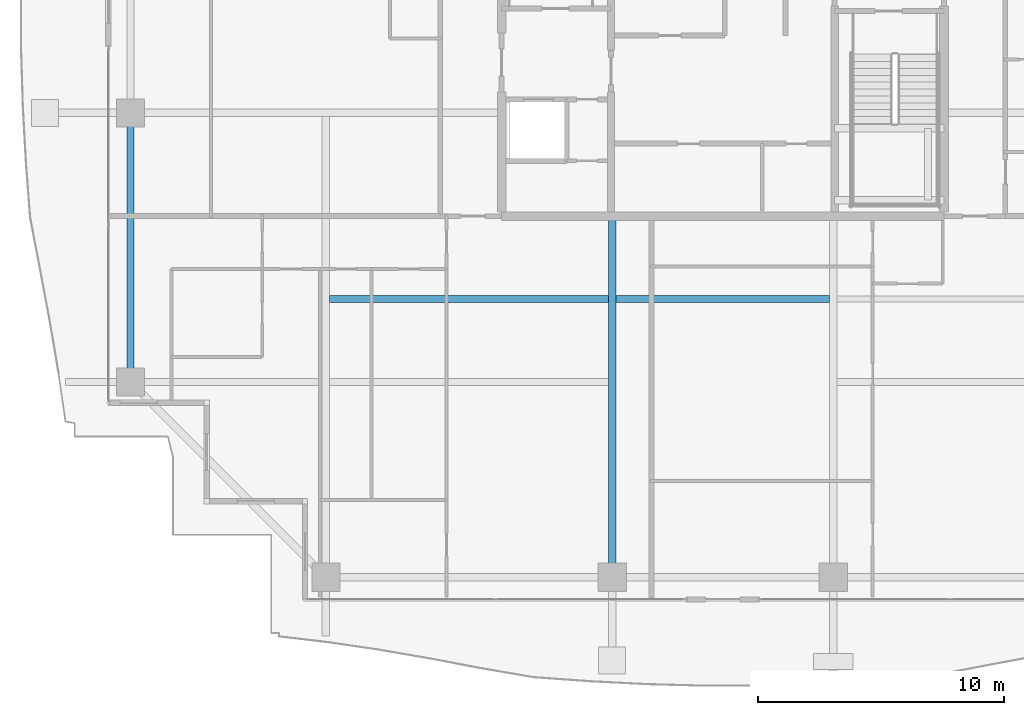
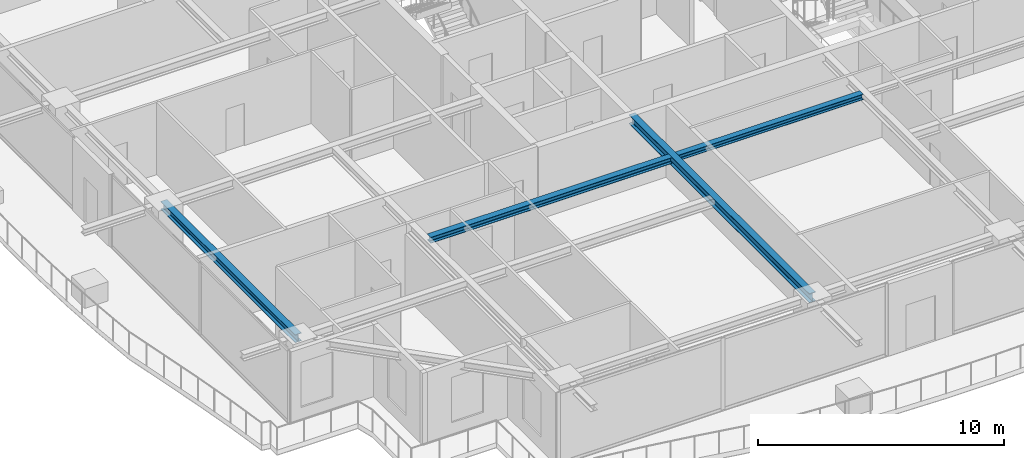
# One storey, part 6 of 35: 4 beams.
"""IFC4 building model written with IfcOpenShell, lengths in metres."""

from ifc_helpers import new_model, si_unit, direction, frame, origin, origin_2d, place, context, subcontext, project, spatial, i_section, extrude, source, transform, mapped, material, material_profile, profile_set, type_object, element, save


model = new_model("IFC4")

# Units and contexts
model_context = context("Model", 3, precision=1e-05, world=origin(), true_north=direction((0.0, 1.0)))
body_context = subcontext(model_context, "Body", "Model", "MODEL_VIEW")
ifc_project = project(units=[si_unit("LENGTHUNIT", "METRE"), si_unit("AREAUNIT", "SQUARE_METRE"), si_unit("VOLUMEUNIT", "CUBIC_METRE"), si_unit("PLANEANGLEUNIT", "RADIAN"), si_unit("MASSUNIT", "GRAM", prefix="KILO")], contexts=[model_context])

# Site, building, storey
site_placement = place(None, origin())
site = spatial("IfcSite", under=ifc_project, at=site_placement, CompositionType="ELEMENT")
building_placement = place(site_placement, origin())
building = spatial("IfcBuilding", under=site, at=building_placement, Name="Serunith Strait Residences", CompositionType="ELEMENT")
storey_placement = place(building_placement, frame((0.0, 0.0, 214.300048828125)))
storey = spatial("IfcBuildingStorey", under=building, at=storey_placement, Name="L53", CompositionType="ELEMENT", Elevation=214.300048828125)

# Beams
ifc_material = material(Name="Steel S355J2", Category="steel")
ifc_material_profile_1 = material_profile(ifc_material, i_section(OverallWidth=0.280029296875, OverallDepth=0.280029296875, WebThickness=0.010498046875, FlangeThickness=0.01806640625, FilletRadius=0.02392578125, at=origin_2d()), Name="HEB 280")
ifc_profile_set_1 = profile_set([ifc_material_profile_1], Name="Steel S355J2")
beam_type_1 = type_object("IfcBeamType", Name="BM-HEB280", PredefinedType="JOIST", material=ifc_profile_set_1)
shared_shape_1 = source(origin(), body_context, "Body", "SweptSolid", [
    extrude(i_section(OverallWidth=0.280029296875, OverallDepth=0.280029296875, WebThickness=0.010498046875, FlangeThickness=0.01806640625, FilletRadius=0.02392578125, at=origin_2d()), origin(), (0.0, 0.0, 1.0), 8.699951171875),
])
beam_1_placement = place(storey_placement, frame((28.050048828125, 13.425048828125, 3.447021484375), z_axis=(1.0, 0.0, 0.0), x_axis=(0.0, 1.0, 0.0)))
element("IfcBeam", 1, at=beam_1_placement, inside=storey, type_object=beam_type_1, Name="L53 Composite Floor Joist 02", PredefinedType="JOIST", context=body_context, shape_type="MappedRepresentation", body=[
    mapped(shared_shape_1, transform((0.0, 0.0, 0.0), scale=1.0)),
])
ifc_material_profile_2 = material_profile(ifc_material, i_section(OverallWidth=0.300048828125, OverallDepth=0.449951171875, WebThickness=0.013916015625, FlangeThickness=0.02587890625, FilletRadius=0.027099609375, at=origin_2d()), Name="HEB 450")
ifc_profile_set_2 = profile_set([ifc_material_profile_2], Name="Steel S355J2")
beam_type_2 = type_object("IfcBeamType", Name="BM-HEB450", PredefinedType="BEAM", material=ifc_profile_set_2)
shared_shape_2 = source(origin(), body_context, "Body", "SweptSolid", [
    extrude(i_section(OverallWidth=0.300048828125, OverallDepth=0.449951171875, WebThickness=0.013916015625, FlangeThickness=0.02587890625, FilletRadius=0.027099609375, at=origin_2d()), origin(), (0.0, 0.0, 1.0), 14.699951171875),
])
beam_2_placement = place(storey_placement, frame((27.89990234375, 16.800048828125, 3.362060546875), z_axis=(0.0, -1.0, 0.0), x_axis=(1.0, 0.0, 0.0)))
element("IfcBeam", 2, at=beam_2_placement, inside=storey, type_object=beam_type_2, Name="L53 Primary Floor Girder TC-S2", PredefinedType="BEAM", context=body_context, shape_type="MappedRepresentation", body=[
    mapped(shared_shape_2, transform((0.0, 0.0, 0.0), scale=1.0)),
])
ifc_material_profile_3 = material_profile(ifc_material, i_section(OverallWidth=0.300048828125, OverallDepth=0.39990234375, WebThickness=0.013427734375, FlangeThickness=0.02392578125, FilletRadius=0.027099609375, at=origin_2d()), Name="HEB 400")
ifc_profile_set_3 = profile_set([ifc_material_profile_3], Name="Steel S355J2")
beam_type_3 = type_object("IfcBeamType", Name="BM-HEB400", PredefinedType="BEAM", material=ifc_profile_set_3)
shared_shape_3 = source(origin(), body_context, "Body", "SweptSolid", [
    extrude(i_section(OverallWidth=0.300048828125, OverallDepth=0.39990234375, WebThickness=0.013427734375, FlangeThickness=0.02392578125, FilletRadius=0.027099609375, at=origin_2d()), origin(), (0.0, 0.0, 1.0), 10.949951171875),
])
beam_3_placement = place(storey_placement, frame((8.300048828125, 21.0, 3.386962890625), z_axis=(0.0, -1.0, 0.0), x_axis=(1.0, 0.0, 0.0)))
element("IfcBeam", 3, at=beam_3_placement, inside=storey, type_object=beam_type_3, Name="L53 Perimeter Ring Beam 15", PredefinedType="BEAM", context=body_context, shape_type="MappedRepresentation", body=[
    mapped(shared_shape_3, transform((0.0, 0.0, 0.0), scale=1.0)),
])
ifc_material_profile_4 = material_profile(ifc_material, i_section(OverallWidth=0.300048828125, OverallDepth=0.300048828125, WebThickness=0.010986328125, FlangeThickness=0.01904296875, FilletRadius=0.027099609375, at=origin_2d()), Name="HEB 300")
ifc_profile_set_4 = profile_set([ifc_material_profile_4], Name="Steel S355J2")
beam_type_4 = type_object("IfcBeamType", Name="BM-HEB300", PredefinedType="JOIST", material=ifc_profile_set_4)
shared_shape_4 = source(origin(), body_context, "Body", "SweptSolid", [
    extrude(i_section(OverallWidth=0.300048828125, OverallDepth=0.300048828125, WebThickness=0.010986328125, FlangeThickness=0.01904296875, FilletRadius=0.027099609375, at=origin_2d()), origin(), (0.0, 0.0, 1.0), 11.35009765625),
])
beam_4_placement = place(storey_placement, frame((16.39990234375, 13.425048828125, 3.43701171875), z_axis=(1.0, 0.0, 0.0), x_axis=(0.0, 1.0, 0.0)))
element("IfcBeam", 4, at=beam_4_placement, inside=storey, type_object=beam_type_4, Name="L53 Composite Floor Joist 01", PredefinedType="JOIST", context=body_context, shape_type="MappedRepresentation", body=[
    mapped(shared_shape_4, transform((0.0, 0.0, 0.0), scale=1.0)),
])

save(model, "model.ifc")
